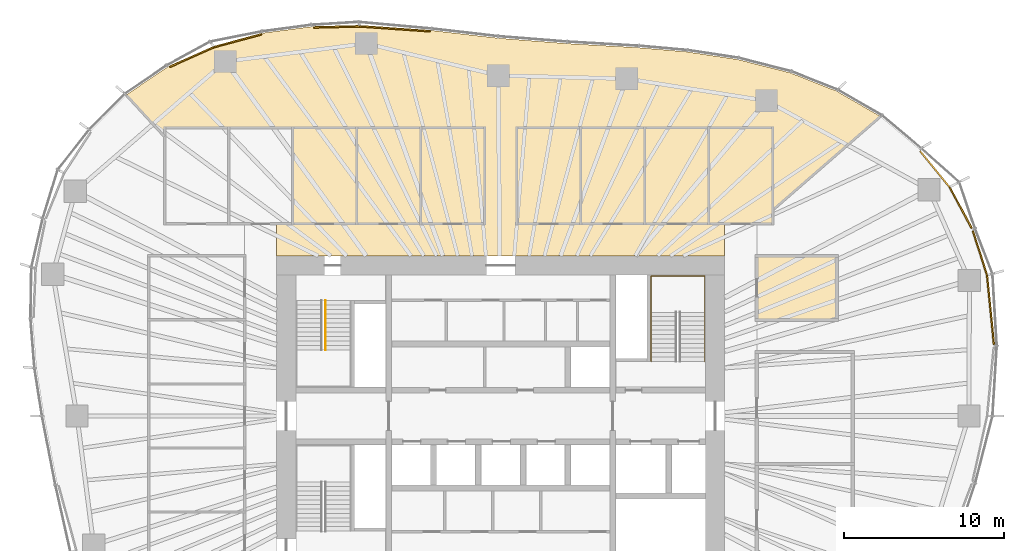
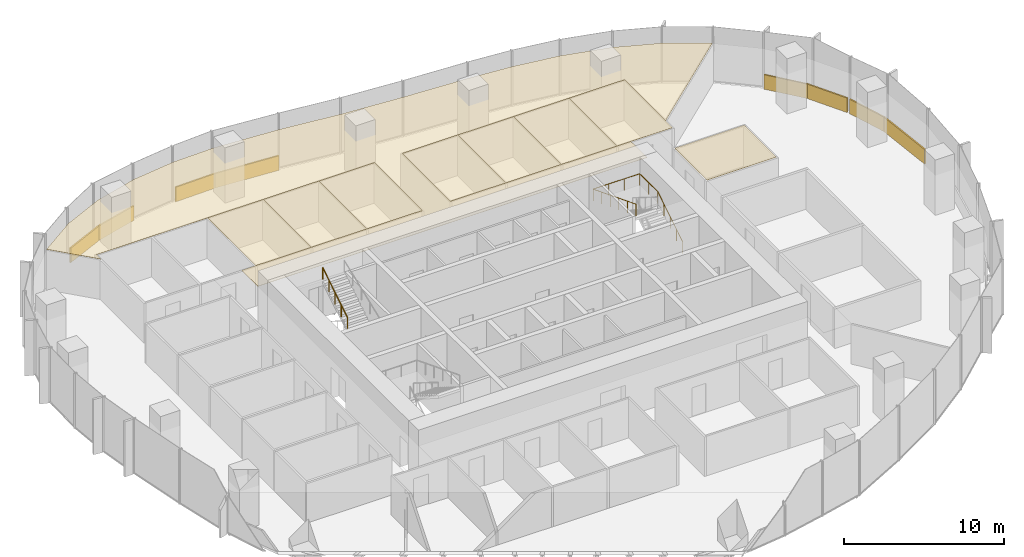
# One storey, part 18 of 18: 17 coverings, 2 railings.
"""IFC4 building model written with IfcOpenShell, lengths in metres."""

from ifc_helpers import new_model, si_unit, direction, frame, origin, origin_2d, place, context, subcontext, project, spatial, polyline, rectangle, circle, outline, extrude, material, layer, layer_set, type_object, element, save


model = new_model("IFC4")

# Units and contexts
model_context = context("Model", 3, precision=1e-05, world=origin(), true_north=direction((0.0, 1.0)))
body_context = subcontext(model_context, "Body", "Model", "MODEL_VIEW")
ifc_project = project(units=[si_unit("LENGTHUNIT", "METRE"), si_unit("AREAUNIT", "SQUARE_METRE"), si_unit("VOLUMEUNIT", "CUBIC_METRE"), si_unit("PLANEANGLEUNIT", "RADIAN"), si_unit("MASSUNIT", "GRAM", prefix="KILO")], contexts=[model_context])

# Site, building, storey
site_placement = place(None, origin())
site = spatial("IfcSite", under=ifc_project, at=site_placement, CompositionType="ELEMENT")
building_placement = place(site_placement, origin())
building = spatial("IfcBuilding", under=site, at=building_placement, Name="Ghaith Harvest Tower", CompositionType="ELEMENT")
storey_placement = place(building_placement, frame((0.0, 0.0, 168.0)))
storey = spatial("IfcBuildingStorey", under=building, at=storey_placement, Name="L36", CompositionType="ELEMENT", Elevation=168.0)

# Coverings
ifc_material_1 = material(Name="Mineral fibre ceiling tile", Category="gypsum")
ifc_layer_1 = layer(ifc_material_1, 0.02001953125)
ifc_layer_set_1 = layer_set([ifc_layer_1], Name="CEILING C1")
covering_type_1 = type_object("IfcCoveringType", Name="CEILING C1", PredefinedType="CEILING", material=ifc_layer_set_1)
covering_1_placement = place(storey_placement, frame((0.0, 0.0, 3.0)))
element("IfcCovering", 1, at=covering_1_placement, inside=storey, type_object=covering_type_1, Name="Ceiling L36-03", PredefinedType="CEILING", context=body_context, shape_type="SweptSolid", body=[
    extrude(outline(polyline([(-13.0, 12.0), (-9.0, 12.0), (-9.0, 18.0), (-13.0, 18.0), (-13.0, 12.0)])), origin(), (0.0, 0.0, 1.0), 0.02001953125),
])
covering_2_placement = place(storey_placement, frame((0.0, 0.0, 3.0)))
element("IfcCovering", 2, at=covering_2_placement, inside=storey, type_object=covering_type_1, Name="Ceiling L36-04", PredefinedType="CEILING", context=body_context, shape_type="SweptSolid", body=[
    extrude(outline(polyline([(-9.0, 12.0), (-5.0, 12.0), (-5.0, 18.0), (-9.0, 18.0), (-9.0, 12.0)])), origin(), (0.0, 0.0, 1.0), 0.02001953125),
])
covering_3_placement = place(storey_placement, frame((0.0, 0.0, 3.0)))
element("IfcCovering", 3, at=covering_3_placement, inside=storey, type_object=covering_type_1, Name="Ceiling L36-05", PredefinedType="CEILING", context=body_context, shape_type="SweptSolid", body=[
    extrude(outline(polyline([(-5.0, 12.0), (-1.0, 12.0), (-1.0, 18.0), (-5.0, 18.0), (-5.0, 12.0)])), origin(), (0.0, 0.0, 1.0), 0.02001953125),
])
covering_4_placement = place(storey_placement, frame((0.0, 0.0, 3.0)))
element("IfcCovering", 4, at=covering_4_placement, inside=storey, type_object=covering_type_1, Name="Ceiling L36-06", PredefinedType="CEILING", context=body_context, shape_type="SweptSolid", body=[
    extrude(outline(polyline([(1.0, 12.0), (5.0, 12.0), (5.0, 18.0), (1.0, 18.0), (1.0, 12.0)])), origin(), (0.0, 0.0, 1.0), 0.02001953125),
])
covering_5_placement = place(storey_placement, frame((0.0, 0.0, 3.0)))
element("IfcCovering", 5, at=covering_5_placement, inside=storey, type_object=covering_type_1, Name="Ceiling L36-07", PredefinedType="CEILING", context=body_context, shape_type="SweptSolid", body=[
    extrude(outline(polyline([(5.0, 12.0), (9.0, 12.0), (9.0, 18.0), (5.0, 18.0), (5.0, 12.0)])), origin(), (0.0, 0.0, 1.0), 0.02001953125),
])
covering_6_placement = place(storey_placement, frame((0.0, 0.0, 3.0)))
element("IfcCovering", 6, at=covering_6_placement, inside=storey, type_object=covering_type_1, Name="Ceiling L36-08", PredefinedType="CEILING", context=body_context, shape_type="SweptSolid", body=[
    extrude(outline(polyline([(9.0, 12.0), (13.0, 12.0), (13.0, 18.0), (9.0, 18.0), (9.0, 12.0)])), origin(), (0.0, 0.0, 1.0), 0.02001953125),
])
covering_7_placement = place(storey_placement, frame((0.0, 0.0, 3.0)))
element("IfcCovering", 7, at=covering_7_placement, inside=storey, type_object=covering_type_1, Name="Ceiling L36-09", PredefinedType="CEILING", context=body_context, shape_type="SweptSolid", body=[
    extrude(outline(polyline([(13.0, 12.0), (17.0, 12.0), (17.0, 18.0), (13.0, 18.0), (13.0, 12.0)])), origin(), (0.0, 0.0, 1.0), 0.02001953125),
])
covering_8_placement = place(storey_placement, frame((0.0, 0.0, 3.0)))
element("IfcCovering", 8, at=covering_8_placement, inside=storey, type_object=covering_type_1, Name="Ceiling L36-23", PredefinedType="CEILING", context=body_context, shape_type="SweptSolid", body=[
    extrude(outline(polyline([(16.0, 6.0), (21.0, 6.0), (21.0, 10.0), (16.0, 10.0), (16.0, 6.0)])), origin(), (0.0, 0.0, 1.0), 0.02001953125),
])
covering_9_placement = place(storey_placement, frame((0.0, 0.0, 3.0)))
element("IfcCovering", 9, at=covering_9_placement, inside=storey, type_object=covering_type_1, Name="Ceiling L36-N1", PredefinedType="CEILING", context=body_context, shape_type="SweptSolid", body=[
    extrude(outline(polyline([(-20.79248046875, 21.82470703125), (-17.938232421875, 23.097412109375), (-14.860595703125, 23.927978515625), (-11.788818359375, 24.331787109375), (-8.814208984375, 24.404541015625), (-4.302001953125, 24.089111328125), (-0.16162109375, 23.609619140625), (4.125732421875, 23.272705078125), (8.604736328125, 23.017333984375), (11.617919921875, 22.757080078125), (14.79833984375, 22.27978515625), (18.0849609375, 21.4462890625), (20.97998046875, 20.3056640625), (23.7275390625, 18.718017578125), (17.0, 12.869384765625), (17.0, 18.0), (1.0, 18.0), (1.0, 12.0), (14.0, 12.0), (14.0, 10.0), (-14.0, 10.0), (-14.0, 12.0), (-1.0, 12.0), (-1.0, 18.0), (-21.0, 18.0), (-21.0, 17.447998046875), (-23.398193359375, 20.06103515625), (-20.79248046875, 21.82470703125)])), origin(), (0.0, 0.0, 1.0), 0.02001953125),
])

# Railings
ifc_material_2 = material(Name="Steel, black powder-coated", Category="steel")
railing_type = type_object("IfcRailingType", Name="HANDRAIL HR1", PredefinedType="HANDRAIL", material=ifc_material_2)
railing_1_placement = place(storey_placement, frame((-10.949951171875, 4.1201171875, 2.27490234375)))
element("IfcRailing", 10, at=railing_1_placement, inside=storey, type_object=railing_type, Name="Handrail HR1 stair ST1 L36 flight 2 inner", PredefinedType="HANDRAIL", context=body_context, shape_type="SweptSolid", body=[
    extrude(circle(Radius=0.02392578125, at=origin_2d()), frame((0.0, 0.0, 0.8759765625), z_axis=(0.0, 0.847979421464, 0.530029150871), x_axis=(-1.0, 0.0, 0.0)), (0.0, 0.0, 1.0), 3.632080078125),
    extrude(circle(Radius=0.02099609375, at=origin_2d()), origin(), (0.0, 0.0, 1.0), 0.851806640625),
    extrude(circle(Radius=0.02099609375, at=origin_2d()), frame((0.0, 0.77001953125, 0.481201171875)), (0.0, 0.0, 1.0), 0.851806640625),
    extrude(circle(Radius=0.02099609375, at=origin_2d()), frame((0.0, 1.5400390625, 0.96240234375)), (0.0, 0.0, 1.0), 0.851806640625),
    extrude(circle(Radius=0.02099609375, at=origin_2d()), frame((0.0, 2.309814453125, 1.44384765625)), (0.0, 0.0, 1.0), 0.851806640625),
    extrude(circle(Radius=0.02099609375, at=origin_2d()), frame((0.0, 3.079833984375, 1.925048828125)), (0.0, 0.0, 1.0), 0.851806640625),
])
railing_2_placement = place(storey_placement, frame((12.75, 3.39990234375, 0.175048828125)))
element("IfcRailing", 11, at=railing_2_placement, inside=storey, type_object=railing_type, Name="Handrail HR1 stair ST2 L36 wall side", PredefinedType="HANDRAIL", context=body_context, shape_type="SweptSolid", body=[
    extrude(circle(Radius=0.02392578125, at=origin_2d()), frame((0.0, 0.0, 0.8759765625), z_axis=(0.0, 0.847998304005, 0.529998940003), x_axis=(-1.0, 0.0, 0.0)), (0.0, 0.0, 1.0), 3.632080078125),
    extrude(circle(Radius=0.02392578125, at=origin_2d()), frame((0.0, 3.080078125, 2.80078125), z_axis=(0.0, 1.0, 0.0), x_axis=(-1.0, 0.0, 0.0)), (0.0, 0.0, 1.0), 2.27001953125),
    extrude(circle(Radius=0.02392578125, at=origin_2d()), frame((0.0, 5.35009765625, 2.80078125), z_axis=(-1.0, 0.0, 0.0), x_axis=(0.0, -1.0, 0.0)), (0.0, 0.0, 1.0), 3.35009765625),
    extrude(circle(Radius=0.02392578125, at=origin_2d()), frame((-3.35009765625, 5.35009765625, 2.80078125), z_axis=(0.0, -0.930868132128, 0.365355334692), x_axis=(1.0, 0.0, 0.0)), (0.0, 0.0, 1.0), 5.747314453125),
    extrude(circle(Radius=0.02099609375, at=origin_2d()), origin(), (0.0, 0.0, 1.0), 0.851806640625),
    extrude(circle(Radius=0.02099609375, at=origin_2d()), frame((0.0, 0.77001953125, 0.481201171875)), (0.0, 0.0, 1.0), 0.851806640625),
    extrude(circle(Radius=0.02099609375, at=origin_2d()), frame((0.0, 1.5400390625, 0.96240234375)), (0.0, 0.0, 1.0), 0.851806640625),
    extrude(circle(Radius=0.02099609375, at=origin_2d()), frame((0.0, 2.31005859375, 1.44384765625)), (0.0, 0.0, 1.0), 0.851806640625),
    extrude(circle(Radius=0.02099609375, at=origin_2d()), frame((0.0, 3.080078125, 1.925048828125)), (0.0, 0.0, 1.0), 0.851806640625),
    extrude(circle(Radius=0.02099609375, at=origin_2d()), frame((0.0, 4.215087890625, 1.925048828125)), (0.0, 0.0, 1.0), 0.851806640625),
    extrude(circle(Radius=0.02099609375, at=origin_2d()), frame((0.0, 5.35009765625, 1.925048828125)), (0.0, 0.0, 1.0), 0.851806640625),
    extrude(circle(Radius=0.02099609375, at=origin_2d()), frame((-1.11669921875, 5.35009765625, 1.925048828125)), (0.0, 0.0, 1.0), 0.851806640625),
    extrude(circle(Radius=0.02099609375, at=origin_2d()), frame((-2.2333984375, 5.35009765625, 1.925048828125)), (0.0, 0.0, 1.0), 0.851806640625),
    extrude(circle(Radius=0.02099609375, at=origin_2d()), frame((-3.35009765625, 5.35009765625, 1.925048828125)), (0.0, 0.0, 1.0), 0.851806640625),
    extrude(circle(Radius=0.02099609375, at=origin_2d()), frame((-3.35009765625, 4.280029296875, 2.344970703125)), (0.0, 0.0, 1.0), 0.851806640625),
    extrude(circle(Radius=0.02099609375, at=origin_2d()), frame((-3.35009765625, 3.2099609375, 2.764892578125)), (0.0, 0.0, 1.0), 0.851806640625),
    extrude(circle(Radius=0.02099609375, at=origin_2d()), frame((-3.35009765625, 2.14013671875, 3.18505859375)), (0.0, 0.0, 1.0), 0.851806640625),
    extrude(circle(Radius=0.02099609375, at=origin_2d()), frame((-3.35009765625, 1.070068359375, 3.60498046875)), (0.0, 0.0, 1.0), 0.851806640625),
    extrude(circle(Radius=0.02099609375, at=origin_2d()), frame((-3.35009765625, 0.0, 4.02490234375)), (0.0, 0.0, 1.0), 0.851806640625),
])

# Coverings
ifc_material_3 = material(Name="Insulated aluminium spandrel panel on steel framing", Category="steel")
ifc_layer_2 = layer(ifc_material_3, 0.10009765625)
ifc_layer_set_2 = layer_set([ifc_layer_2], Name="SLAB EDGE UPSTAND 1100x100")
covering_type_2 = type_object("IfcCoveringType", Name="SLAB EDGE UPSTAND 1100x100", PredefinedType="CLADDING", material=ifc_layer_set_2)
covering_10_placement = place(storey_placement, frame((30.604736328125, 6.630126953125, 0.0), z_axis=(0.0, 0.0, 1.0), x_axis=(-0.099131765681, 0.995074315332, 0.0)))
element("IfcCovering", 12, at=covering_10_placement, inside=storey, type_object=covering_type_2, Name="Slab edge upstand 2 bay 01 L36", PredefinedType="CLADDING", context=body_context, shape_type="SweptSolid", body=[
    extrude(rectangle(XDim=4.346435546875, YDim=0.10009765625, at=origin_2d()), origin(), (0.0, 0.0, 1.0), 1.10009765625),
])
covering_11_placement = place(storey_placement, frame((29.948486328125, 10.171875, 0.0), z_axis=(0.0, 0.0, 1.0), x_axis=(-0.303716894855, 0.952762324916, 0.0)))
element("IfcCovering", 13, at=covering_11_placement, inside=storey, type_object=covering_type_2, Name="Slab edge upstand 1 bay 02 L36", PredefinedType="CLADDING", context=body_context, shape_type="SweptSolid", body=[
    extrude(rectangle(XDim=2.916748046875, YDim=0.10009765625, at=origin_2d()), origin(), (0.0, 0.0, 1.0), 1.10009765625),
])
for number, where, z_axis, x_axis, name in (
    (14, (28.738037109375, 13.018798828125, 0.0), (0.0, 0.0, 1.0), (-0.475408661811, 0.87976508471, 0.0), "Slab edge upstand 2 bay 02 L36"),
    (15, (27.127197265625, 15.4228515625, 0.0), (0.0, 0.0, 1.0), (-0.632969558548, 0.774176683937, 0.0), "Slab edge upstand 3 bay 02 L36"),
):
    element("IfcCovering", number, at=place(storey_placement, frame(where, z_axis=z_axis, x_axis=x_axis)), inside=storey, type_object=covering_type_2, Name=name, PredefinedType="CLADDING", context=body_context, shape_type="SweptSolid", body=[
        extrude(rectangle(XDim=2.91650390625, YDim=0.10009765625, at=origin_2d()), origin(), (0.0, 0.0, 1.0), 1.10009765625),
    ])
covering_12_placement = place(storey_placement, frame((-6.611572265625, 24.200439453125, 0.0), z_axis=(0.0, 0.0, 1.0), x_axis=(-0.997566199698, 0.069725728542, 0.0)))
element("IfcCovering", 16, at=covering_12_placement, inside=storey, type_object=covering_type_2, Name="Slab edge upstand 2 bay 06 L36", PredefinedType="CLADDING", context=body_context, shape_type="SweptSolid", body=[
    extrude(rectangle(XDim=4.42333984375, YDim=0.10009765625, at=origin_2d()), origin(), (0.0, 0.0, 1.0), 1.10009765625),
])
covering_13_placement = place(storey_placement, frame((-10.25048828125, 24.3193359375, 0.0), z_axis=(0.0, 0.0, 1.0), x_axis=(-0.999700846757, -0.024458474865, 0.0)))
element("IfcCovering", 17, at=covering_13_placement, inside=storey, type_object=covering_type_2, Name="Slab edge upstand 1 bay 07 L36", PredefinedType="CLADDING", context=body_context, shape_type="SweptSolid", body=[
    extrude(rectangle(XDim=2.87548828125, YDim=0.10009765625, at=origin_2d()), origin(), (0.0, 0.0, 1.0), 1.10009765625),
])
covering_14_placement = place(storey_placement, frame((-16.4345703125, 23.451416015625, 0.0), z_axis=(0.0, 0.0, 1.0), x_axis=(-0.965455035926, -0.260569709685, 0.0)))
element("IfcCovering", 18, at=covering_14_placement, inside=storey, type_object=covering_type_2, Name="Slab edge upstand 3 bay 07 L36", PredefinedType="CLADDING", context=body_context, shape_type="SweptSolid", body=[
    extrude(rectangle(XDim=3.087890625, YDim=0.10009765625, at=origin_2d()), origin(), (0.0, 0.0, 1.0), 1.10009765625),
])
covering_15_placement = place(storey_placement, frame((-19.29931640625, 22.435791015625, 0.0), z_axis=(0.0, 0.0, 1.0), x_axis=(-0.913334621001, -0.40720986, 0.0)))
element("IfcCovering", 19, at=covering_15_placement, inside=storey, type_object=covering_type_2, Name="Slab edge upstand 1 bay 08 L36", PredefinedType="CLADDING", context=body_context, shape_type="SweptSolid", body=[
    extrude(rectangle(XDim=3.025146484375, YDim=0.10009765625, at=origin_2d()), origin(), (0.0, 0.0, 1.0), 1.10009765625),
])

save(model, "model.ifc")
